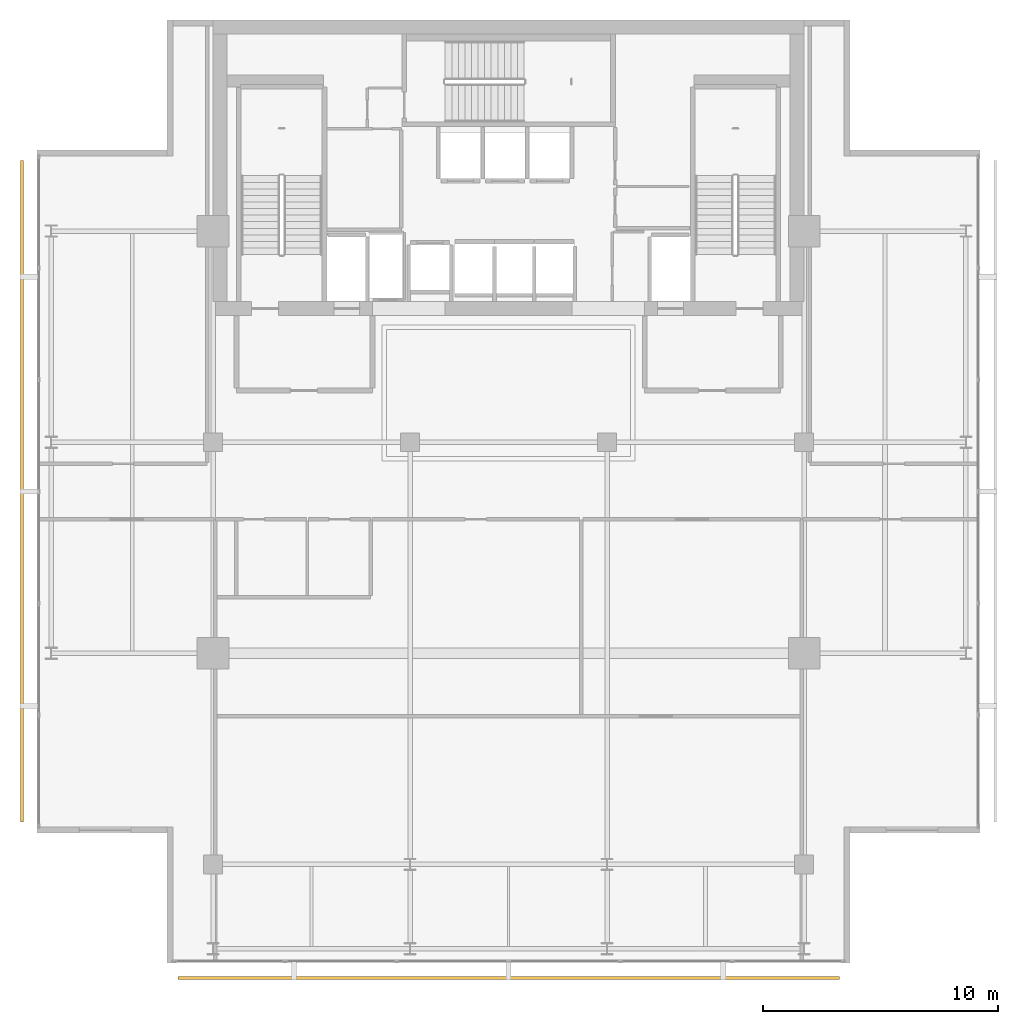
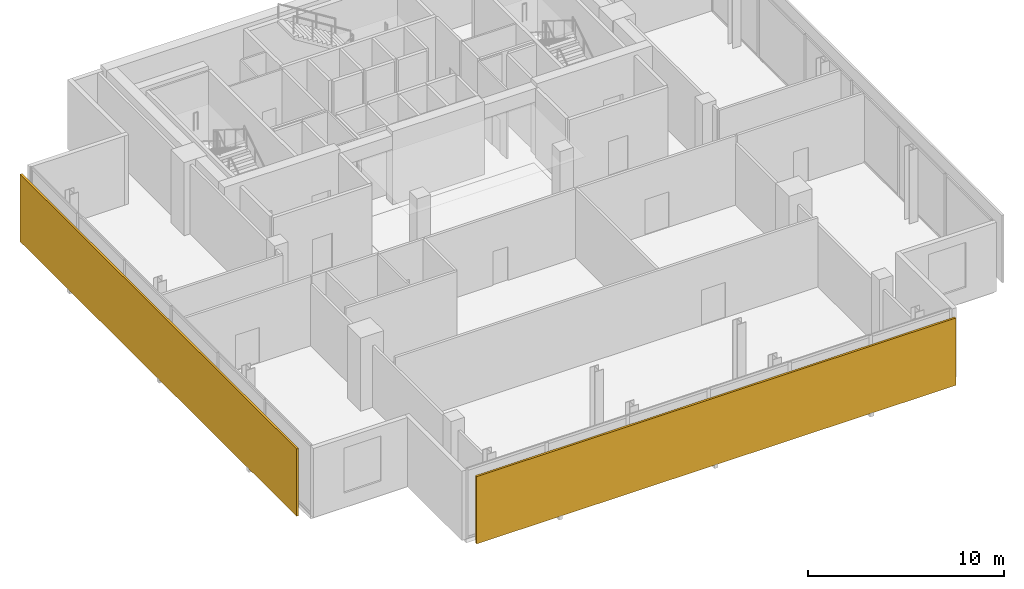
# One storey, part 20 of 23: 2 shading devices.
"""IFC4 building model written with IfcOpenShell, lengths in metres."""

from ifc_helpers import new_model, si_unit, direction, frame, origin, origin_2d, place, context, subcontext, project, spatial, rectangle, extrude, material, layer, layer_set, type_object, element, save


model = new_model("IFC4")

# Units and contexts
model_context = context("Model", 3, precision=1e-05, world=origin(), true_north=direction((0.0, 1.0)))
body_context = subcontext(model_context, "Body", "Model", "MODEL_VIEW")
ifc_project = project(units=[si_unit("LENGTHUNIT", "METRE"), si_unit("AREAUNIT", "SQUARE_METRE"), si_unit("VOLUMEUNIT", "CUBIC_METRE"), si_unit("PLANEANGLEUNIT", "RADIAN"), si_unit("MASSUNIT", "GRAM", prefix="KILO")], contexts=[model_context])

# Site, building, storey
site_placement = place(None, origin())
site = spatial("IfcSite", under=ifc_project, at=site_placement, CompositionType="ELEMENT")
building_placement = place(site_placement, origin())
building = spatial("IfcBuilding", under=site, at=building_placement, Name="Maruvema Waterfront Hotel and Observation Tower", CompositionType="ELEMENT")
storey_placement = place(building_placement, frame((0.0, 0.0, 345.10009765625)))
storey = spatial("IfcBuildingStorey", under=building, at=storey_placement, Name="L85", CompositionType="ELEMENT", Elevation=345.10009765625)

# Shading devices
ifc_material = material(Name="Honed travertine stone and anodised architectural bronze", Category="masonry")
ifc_layer = layer(ifc_material, 0.1201171875, Name="Ventilated Outer Skin Cobogo Stone-and-Bronze Screen 120 mm")
ifc_layer_set = layer_set([ifc_layer], Name="Honed travertine stone and anodised architectural bronze")
shading_device_type = type_object("IfcShadingDeviceType", Name="Ventilated Outer Skin Cobogo Stone-and-Bronze Screen 120 mm", PredefinedType="USERDEFINED", material=ifc_layer_set)
for number, where, z_axis, x_axis, name in (
    (1, (37.800048828125, 13.14990234375, 0.059814453125), (0.0, 0.0, 1.0), (1.0, 0.0, 0.0), "L85 Ventilated Double-Skin Outer Cobogo Screen OS-L85-S"),
    (2, (17.050048828125, 33.89990234375, 0.059814453125), (0.0, 0.0, 1.0), (0.0, -1.0, 0.0), "L85 Ventilated Double-Skin Outer Cobogo Screen OS-L85-W"),
):
    element("IfcShadingDevice", number, at=place(storey_placement, frame(where, z_axis=z_axis, x_axis=x_axis)), inside=storey, type_object=shading_device_type, Name=name, ObjectType="OUTER SKIN SCREEN", PredefinedType="USERDEFINED", context=body_context, shape_type="SweptSolid", body=[
        extrude(rectangle(XDim=28.199951171875, YDim=0.1201171875, at=origin_2d()), origin(), (0.0, 0.0, 1.0), 4.18994140625),
    ])

save(model, "model.ifc")
